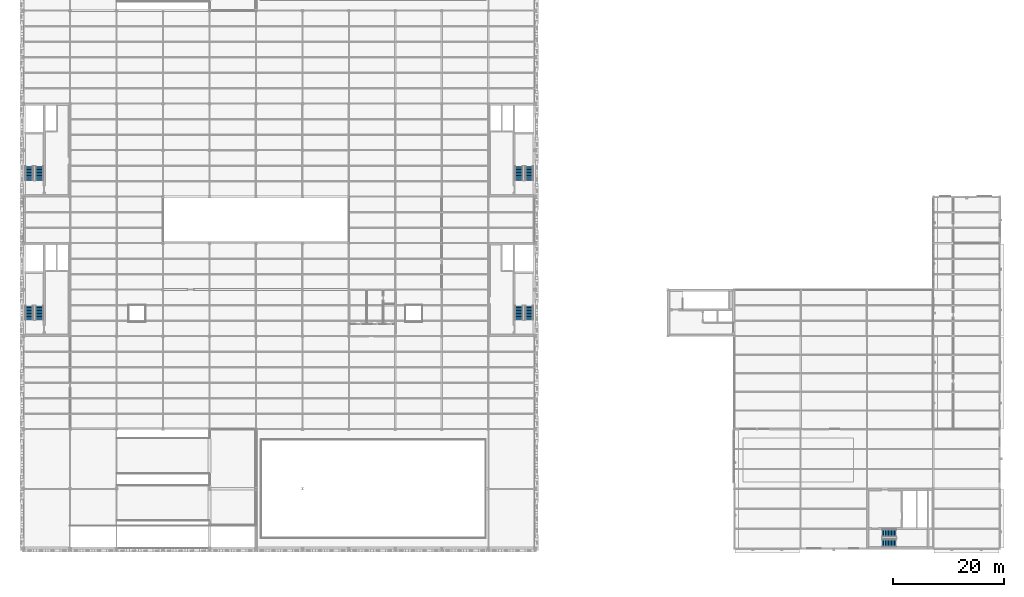
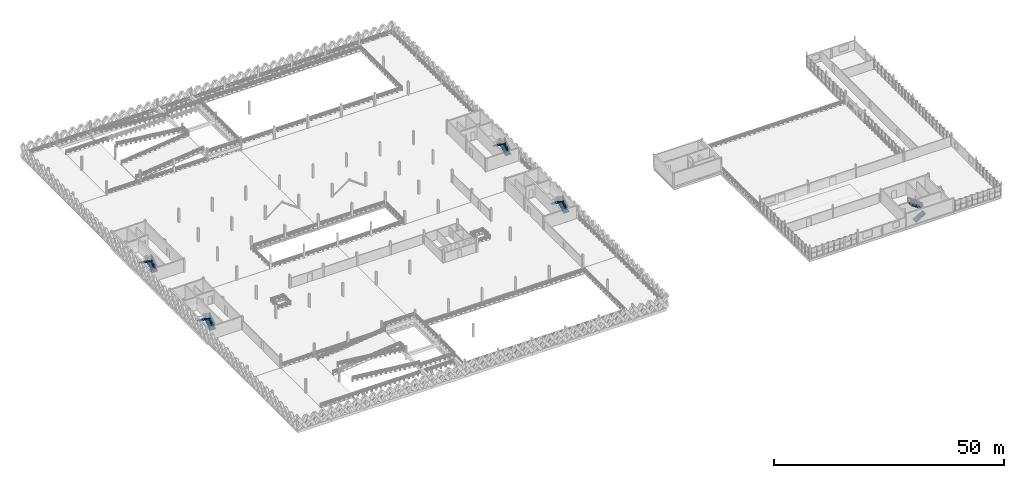
# One storey, part 63 of 74: 10 stair flights, 5 elements without a shape of their own.
"""IFC4 building model written with IfcOpenShell, lengths in metres."""

from ifc_helpers import new_model, si_unit, direction, frame, origin, place, context, subcontext, project, spatial, polyline, outline, extrude, material, type_object, element, aggregate, save


model = new_model("IFC4")

# Units and contexts
model_context = context("Model", 3, precision=1e-05, world=origin(), true_north=direction((0.0, 1.0)))
body_context = subcontext(model_context, "Body", "Model", "MODEL_VIEW")
ifc_project = project(units=[si_unit("LENGTHUNIT", "METRE"), si_unit("AREAUNIT", "SQUARE_METRE"), si_unit("VOLUMEUNIT", "CUBIC_METRE"), si_unit("PLANEANGLEUNIT", "RADIAN"), si_unit("MASSUNIT", "GRAM", prefix="KILO"), si_unit("THERMODYNAMICTEMPERATUREUNIT", "KELVIN"), si_unit("POWERUNIT", "WATT")], contexts=[model_context])

# Site, building, storey
site_placement = place(None, origin())
site = spatial("IfcSite", under=ifc_project, at=site_placement, CompositionType="ELEMENT")
building_placement = place(site_placement, origin())
building = spatial("IfcBuilding", under=site, at=building_placement, Name="Tembeka Court Mobility Hub", CompositionType="ELEMENT")
storey_placement = place(building_placement, frame((0.0, 0.0, 12.60009765625)))
storey = spatial("IfcBuildingStorey", under=building, at=storey_placement, Name="L03", CompositionType="ELEMENT", Elevation=12.60009765625)

# Stair, stair flights
ifc_material = material(Name="Concrete C40/50", Category="concrete")
stair_type_1 = type_object("IfcStairType", Name="STR-ST01L03", PredefinedType="HALF_TURN_STAIR", material=ifc_material)
stair_1_placement = place(storey_placement, origin())
stair_1 = element("IfcStair", 1, at=stair_1_placement, inside=storey, type_object=stair_type_1, Name="Protected exit stair ST01 (L03)", PredefinedType="HALF_TURN_STAIR")
stair_flight_type_1 = type_object("IfcStairFlightType", Name="STF-ST01L03F1", PredefinedType="STRAIGHT", material=ifc_material)
stair_flight_1_placement = place(storey_placement, frame((2.875, 41.35009765625, 0.0), z_axis=(0.0, 0.0, 1.0), x_axis=(0.0, 1.0, 0.0)))
stair_flight_1 = element("IfcStairFlight", 2, at=stair_flight_1_placement, type_object=stair_flight_type_1, Name="ST01L03 flight 1", NumberOfRisers=10, NumberOfTreads=9, PredefinedType="STRAIGHT", RiserHeight=0.18, TreadLength=0.28, context=body_context, shape_type="SweptSolid", body=[
    extrude(outline(polyline([(0.0, 0.0), (0.0, 0.179931640625), (0.280029296875, 0.179931640625), (0.280029296875, 0.360107421875), (0.56005859375, 0.360107421875), (0.56005859375, 0.5400390625), (0.840087890625, 0.5400390625), (0.840087890625, 0.719970703125), (1.1201171875, 0.719970703125), (1.1201171875, 0.89990234375), (1.39990234375, 0.89990234375), (1.39990234375, 1.080078125), (1.679931640625, 1.080078125), (1.679931640625, 1.260009765625), (1.9599609375, 1.260009765625), (1.9599609375, 1.43994140625), (2.239990234375, 1.43994140625), (2.239990234375, 1.6201171875), (2.52001953125, 1.6201171875), (2.52001953125, 1.800048828125), (2.52001953125, 1.44189453125), (0.277099609375, 0.0), (0.0, 0.0)])), frame((0.0, 0.72509765625, 0.0), z_axis=(0.0, -1.0, 0.0), x_axis=(1.0, 0.0, 0.0)), (0.0, 0.0, 1.0), 1.449951171875),
])
stair_flight_type_2 = type_object("IfcStairFlightType", Name="STF-ST01L03F2", PredefinedType="STRAIGHT", material=ifc_material)
stair_flight_2_placement = place(storey_placement, frame((1.02490234375, 43.8701171875, 1.7998046875), z_axis=(0.0, 0.0, 1.0), x_axis=(0.0, -1.0, 0.0)))
stair_flight_2 = element("IfcStairFlight", 3, at=stair_flight_2_placement, type_object=stair_flight_type_2, Name="ST01L03 flight 2", NumberOfRisers=10, NumberOfTreads=9, PredefinedType="STRAIGHT", RiserHeight=0.18, TreadLength=0.28, context=body_context, shape_type="SweptSolid", body=[
    extrude(outline(polyline([(0.0, 0.0), (0.0, 0.179931640625), (0.280029296875, 0.179931640625), (0.280029296875, 0.360107421875), (0.56005859375, 0.360107421875), (0.56005859375, 0.5400390625), (0.840087890625, 0.5400390625), (0.840087890625, 0.719970703125), (1.1201171875, 0.719970703125), (1.1201171875, 0.89990234375), (1.39990234375, 0.89990234375), (1.39990234375, 1.080078125), (1.679931640625, 1.080078125), (1.679931640625, 1.260009765625), (1.9599609375, 1.260009765625), (1.9599609375, 1.43994140625), (2.239990234375, 1.43994140625), (2.239990234375, 1.6201171875), (2.52001953125, 1.6201171875), (2.52001953125, 1.800048828125), (2.52001953125, 1.44189453125), (0.277099609375, 0.0), (0.0, 0.0)])), frame((0.0, 0.72509765625, 0.0), z_axis=(0.0, -1.0, 0.0), x_axis=(1.0, 0.0, 0.0)), (0.0, 0.0, 1.0), 1.449951171875),
])
aggregate(stair_1, [stair_flight_1, stair_flight_2])

stair_type_2 = type_object("IfcStairType", Name="STR-ST02L03", PredefinedType="HALF_TURN_STAIR", material=ifc_material)
stair_2_placement = place(storey_placement, origin())
stair_2 = element("IfcStair", 4, at=stair_2_placement, inside=storey, type_object=stair_type_2, Name="Protected exit stair ST02 (L03)", PredefinedType="HALF_TURN_STAIR")
stair_flight_type_3 = type_object("IfcStairFlightType", Name="STF-ST02L03F1", PredefinedType="STRAIGHT", material=ifc_material)
stair_flight_3_placement = place(storey_placement, frame((91.375, 66.550048828125, 0.0), z_axis=(0.0, 0.0, 1.0), x_axis=(0.0, 1.0, 0.0)))
stair_flight_3 = element("IfcStairFlight", 5, at=stair_flight_3_placement, type_object=stair_flight_type_3, Name="ST02L03 flight 1", NumberOfRisers=10, NumberOfTreads=9, PredefinedType="STRAIGHT", RiserHeight=0.18, TreadLength=0.28, context=body_context, shape_type="SweptSolid", body=[
    extrude(outline(polyline([(0.0, 0.0), (0.0, 0.179931640625), (0.280029296875, 0.179931640625), (0.280029296875, 0.360107421875), (0.56005859375, 0.360107421875), (0.56005859375, 0.5400390625), (0.840087890625, 0.5400390625), (0.840087890625, 0.719970703125), (1.1201171875, 0.719970703125), (1.1201171875, 0.89990234375), (1.39990234375, 0.89990234375), (1.39990234375, 1.080078125), (1.679931640625, 1.080078125), (1.679931640625, 1.260009765625), (1.9599609375, 1.260009765625), (1.9599609375, 1.43994140625), (2.239990234375, 1.43994140625), (2.239990234375, 1.6201171875), (2.52001953125, 1.6201171875), (2.52001953125, 1.800048828125), (2.52001953125, 1.44189453125), (0.277099609375, 0.0), (0.0, 0.0)])), frame((0.0, 0.72509765625, 0.0), z_axis=(0.0, -1.0, 0.0), x_axis=(1.0, 0.0, 0.0)), (0.0, 0.0, 1.0), 1.449951171875),
])
stair_flight_type_4 = type_object("IfcStairFlightType", Name="STF-ST02L03F2", PredefinedType="STRAIGHT", material=ifc_material)
stair_flight_4_placement = place(storey_placement, frame((89.52490234375, 69.070068359375, 1.7998046875), z_axis=(0.0, 0.0, 1.0), x_axis=(0.0, -1.0, 0.0)))
stair_flight_4 = element("IfcStairFlight", 6, at=stair_flight_4_placement, type_object=stair_flight_type_4, Name="ST02L03 flight 2", NumberOfRisers=10, NumberOfTreads=9, PredefinedType="STRAIGHT", RiserHeight=0.18, TreadLength=0.28, context=body_context, shape_type="SweptSolid", body=[
    extrude(outline(polyline([(0.0, 0.0), (0.0, 0.179931640625), (0.280029296875, 0.179931640625), (0.280029296875, 0.360107421875), (0.56005859375, 0.360107421875), (0.56005859375, 0.5400390625), (0.840087890625, 0.5400390625), (0.840087890625, 0.719970703125), (1.1201171875, 0.719970703125), (1.1201171875, 0.89990234375), (1.39990234375, 0.89990234375), (1.39990234375, 1.080078125), (1.679931640625, 1.080078125), (1.679931640625, 1.260009765625), (1.9599609375, 1.260009765625), (1.9599609375, 1.43994140625), (2.239990234375, 1.43994140625), (2.239990234375, 1.6201171875), (2.52001953125, 1.6201171875), (2.52001953125, 1.800048828125), (2.52001953125, 1.44189453125), (0.277099609375, 0.0), (0.0, 0.0)])), frame((0.0, 0.72509765625, 0.0), z_axis=(0.0, -1.0, 0.0), x_axis=(1.0, 0.0, 0.0)), (0.0, 0.0, 1.0), 1.449951171875),
])
aggregate(stair_2, [stair_flight_3, stair_flight_4])

stair_type_3 = type_object("IfcStairType", Name="STR-ST03L03", PredefinedType="HALF_TURN_STAIR", material=ifc_material)
stair_3_placement = place(storey_placement, origin())
stair_3 = element("IfcStair", 7, at=stair_3_placement, inside=storey, type_object=stair_type_3, Name="Protected exit stair ST03 (L03)", PredefinedType="HALF_TURN_STAIR")
stair_flight_type_5 = type_object("IfcStairFlightType", Name="STF-ST03L03F1", PredefinedType="STRAIGHT", material=ifc_material)
stair_flight_5_placement = place(storey_placement, frame((2.875, 66.550048828125, 0.0), z_axis=(0.0, 0.0, 1.0), x_axis=(0.0, 1.0, 0.0)))
stair_flight_5 = element("IfcStairFlight", 8, at=stair_flight_5_placement, type_object=stair_flight_type_5, Name="ST03L03 flight 1", NumberOfRisers=10, NumberOfTreads=9, PredefinedType="STRAIGHT", RiserHeight=0.18, TreadLength=0.28, context=body_context, shape_type="SweptSolid", body=[
    extrude(outline(polyline([(0.0, 0.0), (0.0, 0.179931640625), (0.280029296875, 0.179931640625), (0.280029296875, 0.360107421875), (0.56005859375, 0.360107421875), (0.56005859375, 0.5400390625), (0.840087890625, 0.5400390625), (0.840087890625, 0.719970703125), (1.1201171875, 0.719970703125), (1.1201171875, 0.89990234375), (1.39990234375, 0.89990234375), (1.39990234375, 1.080078125), (1.679931640625, 1.080078125), (1.679931640625, 1.260009765625), (1.9599609375, 1.260009765625), (1.9599609375, 1.43994140625), (2.239990234375, 1.43994140625), (2.239990234375, 1.6201171875), (2.52001953125, 1.6201171875), (2.52001953125, 1.800048828125), (2.52001953125, 1.44189453125), (0.277099609375, 0.0), (0.0, 0.0)])), frame((0.0, 0.72509765625, 0.0), z_axis=(0.0, -1.0, 0.0), x_axis=(1.0, 0.0, 0.0)), (0.0, 0.0, 1.0), 1.449951171875),
])
stair_flight_type_6 = type_object("IfcStairFlightType", Name="STF-ST03L03F2", PredefinedType="STRAIGHT", material=ifc_material)
stair_flight_6_placement = place(storey_placement, frame((1.02490234375, 69.070068359375, 1.7998046875), z_axis=(0.0, 0.0, 1.0), x_axis=(0.0, -1.0, 0.0)))
stair_flight_6 = element("IfcStairFlight", 9, at=stair_flight_6_placement, type_object=stair_flight_type_6, Name="ST03L03 flight 2", NumberOfRisers=10, NumberOfTreads=9, PredefinedType="STRAIGHT", RiserHeight=0.18, TreadLength=0.28, context=body_context, shape_type="SweptSolid", body=[
    extrude(outline(polyline([(0.0, 0.0), (0.0, 0.179931640625), (0.280029296875, 0.179931640625), (0.280029296875, 0.360107421875), (0.56005859375, 0.360107421875), (0.56005859375, 0.5400390625), (0.840087890625, 0.5400390625), (0.840087890625, 0.719970703125), (1.1201171875, 0.719970703125), (1.1201171875, 0.89990234375), (1.39990234375, 0.89990234375), (1.39990234375, 1.080078125), (1.679931640625, 1.080078125), (1.679931640625, 1.260009765625), (1.9599609375, 1.260009765625), (1.9599609375, 1.43994140625), (2.239990234375, 1.43994140625), (2.239990234375, 1.6201171875), (2.52001953125, 1.6201171875), (2.52001953125, 1.800048828125), (2.52001953125, 1.44189453125), (0.277099609375, 0.0), (0.0, 0.0)])), frame((0.0, 0.72509765625, 0.0), z_axis=(0.0, -1.0, 0.0), x_axis=(1.0, 0.0, 0.0)), (0.0, 0.0, 1.0), 1.449951171875),
])
aggregate(stair_3, [stair_flight_5, stair_flight_6])

stair_type_4 = type_object("IfcStairType", Name="STR-ST04L03", PredefinedType="HALF_TURN_STAIR", material=ifc_material)
stair_4_placement = place(storey_placement, origin())
stair_4 = element("IfcStair", 10, at=stair_4_placement, inside=storey, type_object=stair_type_4, Name="Protected exit stair ST04 (L03)", PredefinedType="HALF_TURN_STAIR")
stair_flight_type_7 = type_object("IfcStairFlightType", Name="STF-ST04L03F1", PredefinedType="STRAIGHT", material=ifc_material)
stair_flight_7_placement = place(storey_placement, frame((91.375, 41.35009765625, 0.0), z_axis=(0.0, 0.0, 1.0), x_axis=(0.0, 1.0, 0.0)))
stair_flight_7 = element("IfcStairFlight", 11, at=stair_flight_7_placement, type_object=stair_flight_type_7, Name="ST04L03 flight 1", NumberOfRisers=10, NumberOfTreads=9, PredefinedType="STRAIGHT", RiserHeight=0.18, TreadLength=0.28, context=body_context, shape_type="SweptSolid", body=[
    extrude(outline(polyline([(0.0, 0.0), (0.0, 0.179931640625), (0.280029296875, 0.179931640625), (0.280029296875, 0.360107421875), (0.56005859375, 0.360107421875), (0.56005859375, 0.5400390625), (0.840087890625, 0.5400390625), (0.840087890625, 0.719970703125), (1.1201171875, 0.719970703125), (1.1201171875, 0.89990234375), (1.39990234375, 0.89990234375), (1.39990234375, 1.080078125), (1.679931640625, 1.080078125), (1.679931640625, 1.260009765625), (1.9599609375, 1.260009765625), (1.9599609375, 1.43994140625), (2.239990234375, 1.43994140625), (2.239990234375, 1.6201171875), (2.52001953125, 1.6201171875), (2.52001953125, 1.800048828125), (2.52001953125, 1.44189453125), (0.277099609375, 0.0), (0.0, 0.0)])), frame((0.0, 0.72509765625, 0.0), z_axis=(0.0, -1.0, 0.0), x_axis=(1.0, 0.0, 0.0)), (0.0, 0.0, 1.0), 1.449951171875),
])
stair_flight_type_8 = type_object("IfcStairFlightType", Name="STF-ST04L03F2", PredefinedType="STRAIGHT", material=ifc_material)
stair_flight_8_placement = place(storey_placement, frame((89.52490234375, 43.8701171875, 1.7998046875), z_axis=(0.0, 0.0, 1.0), x_axis=(0.0, -1.0, 0.0)))
stair_flight_8 = element("IfcStairFlight", 12, at=stair_flight_8_placement, type_object=stair_flight_type_8, Name="ST04L03 flight 2", NumberOfRisers=10, NumberOfTreads=9, PredefinedType="STRAIGHT", RiserHeight=0.18, TreadLength=0.28, context=body_context, shape_type="SweptSolid", body=[
    extrude(outline(polyline([(0.0, 0.0), (0.0, 0.179931640625), (0.280029296875, 0.179931640625), (0.280029296875, 0.360107421875), (0.56005859375, 0.360107421875), (0.56005859375, 0.5400390625), (0.840087890625, 0.5400390625), (0.840087890625, 0.719970703125), (1.1201171875, 0.719970703125), (1.1201171875, 0.89990234375), (1.39990234375, 0.89990234375), (1.39990234375, 1.080078125), (1.679931640625, 1.080078125), (1.679931640625, 1.260009765625), (1.9599609375, 1.260009765625), (1.9599609375, 1.43994140625), (2.239990234375, 1.43994140625), (2.239990234375, 1.6201171875), (2.52001953125, 1.6201171875), (2.52001953125, 1.800048828125), (2.52001953125, 1.44189453125), (0.277099609375, 0.0), (0.0, 0.0)])), frame((0.0, 0.72509765625, 0.0), z_axis=(0.0, -1.0, 0.0), x_axis=(1.0, 0.0, 0.0)), (0.0, 0.0, 1.0), 1.449951171875),
])
aggregate(stair_4, [stair_flight_7, stair_flight_8])

stair_type_5 = type_object("IfcStairType", Name="STR-ST06L03", PredefinedType="HALF_TURN_STAIR", material=ifc_material)
stair_5_placement = place(storey_placement, origin())
stair_5 = element("IfcStair", 13, at=stair_5_placement, inside=storey, type_object=stair_type_5, Name="Protected exit stair ST06 (L03)", PredefinedType="HALF_TURN_STAIR")
stair_flight_type_9 = type_object("IfcStairFlightType", Name="STF-ST06L03F1", PredefinedType="STRAIGHT", material=ifc_material)
stair_flight_9_placement = place(storey_placement, frame((155.14990234375, 1.0, 0.0), z_axis=(0.0, 0.0, 1.0), x_axis=(1.0, 0.0, 0.0)))
stair_flight_9 = element("IfcStairFlight", 14, at=stair_flight_9_placement, type_object=stair_flight_type_9, Name="ST06L03 flight 1", NumberOfRisers=10, NumberOfTreads=9, PredefinedType="STRAIGHT", RiserHeight=0.18, TreadLength=0.28, context=body_context, shape_type="SweptSolid", body=[
    extrude(outline(polyline([(0.0, 0.0), (0.0, 0.179931640625), (0.280029296875, 0.179931640625), (0.280029296875, 0.360107421875), (0.56005859375, 0.360107421875), (0.56005859375, 0.5400390625), (0.840087890625, 0.5400390625), (0.840087890625, 0.719970703125), (1.1201171875, 0.719970703125), (1.1201171875, 0.89990234375), (1.39990234375, 0.89990234375), (1.39990234375, 1.080078125), (1.679931640625, 1.080078125), (1.679931640625, 1.260009765625), (1.9599609375, 1.260009765625), (1.9599609375, 1.43994140625), (2.239990234375, 1.43994140625), (2.239990234375, 1.6201171875), (2.52001953125, 1.6201171875), (2.52001953125, 1.800048828125), (2.52001953125, 1.44189453125), (0.277099609375, 0.0), (0.0, 0.0)])), frame((0.0, 0.699951171875, 0.0), z_axis=(0.0, -1.0, 0.0), x_axis=(1.0, 0.0, 0.0)), (0.0, 0.0, 1.0), 1.39990234375),
])
stair_flight_type_10 = type_object("IfcStairFlightType", Name="STF-ST06L03F2", PredefinedType="STRAIGHT", material=ifc_material)
stair_flight_10_placement = place(storey_placement, frame((157.669921875, 2.800048828125, 1.7998046875), z_axis=(0.0, 0.0, 1.0), x_axis=(-1.0, 0.0, 0.0)))
stair_flight_10 = element("IfcStairFlight", 15, at=stair_flight_10_placement, type_object=stair_flight_type_10, Name="ST06L03 flight 2", NumberOfRisers=10, NumberOfTreads=9, PredefinedType="STRAIGHT", RiserHeight=0.18, TreadLength=0.28, context=body_context, shape_type="SweptSolid", body=[
    extrude(outline(polyline([(0.0, 0.0), (0.0, 0.179931640625), (0.280029296875, 0.179931640625), (0.280029296875, 0.360107421875), (0.56005859375, 0.360107421875), (0.56005859375, 0.5400390625), (0.840087890625, 0.5400390625), (0.840087890625, 0.719970703125), (1.1201171875, 0.719970703125), (1.1201171875, 0.89990234375), (1.39990234375, 0.89990234375), (1.39990234375, 1.080078125), (1.679931640625, 1.080078125), (1.679931640625, 1.260009765625), (1.9599609375, 1.260009765625), (1.9599609375, 1.43994140625), (2.239990234375, 1.43994140625), (2.239990234375, 1.6201171875), (2.52001953125, 1.6201171875), (2.52001953125, 1.800048828125), (2.52001953125, 1.44189453125), (0.277099609375, 0.0), (0.0, 0.0)])), frame((0.0, 0.699951171875, 0.0), z_axis=(0.0, -1.0, 0.0), x_axis=(1.0, 0.0, 0.0)), (0.0, 0.0, 1.0), 1.39990234375),
])
aggregate(stair_5, [stair_flight_9, stair_flight_10])

save(model, "model.ifc")
